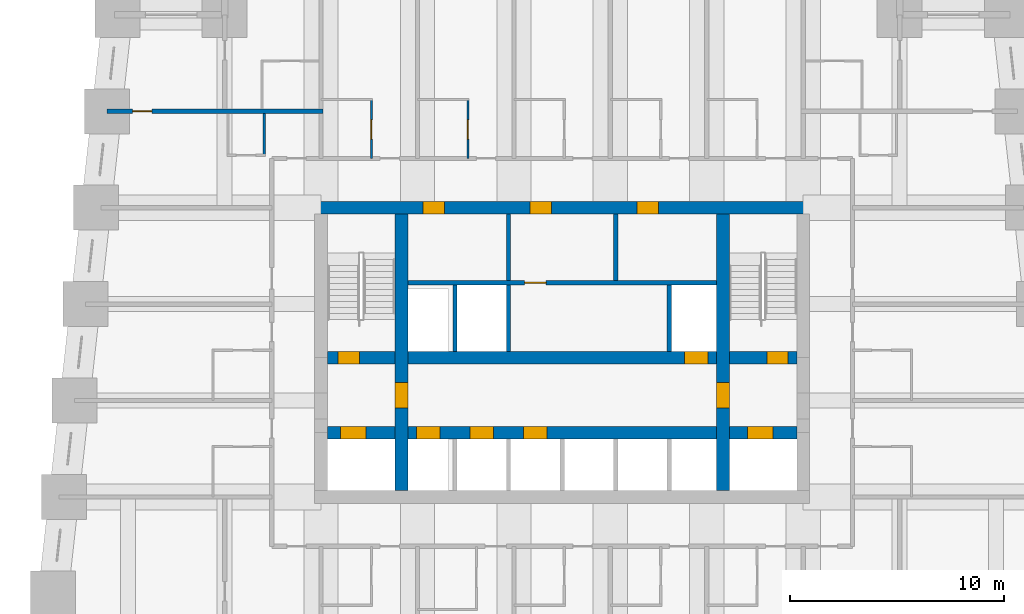
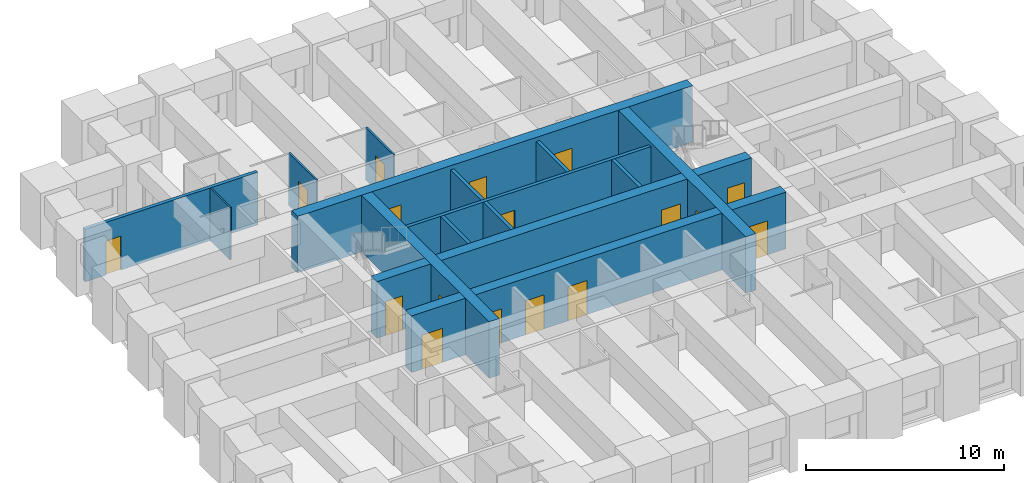
# One storey, part 4 of 8: 17 doors, 15 walls, 17 openings.
"""IFC4 building model written with IfcOpenShell, lengths in metres."""

from ifc_helpers import new_model, si_unit, direction, frame, frame_2d, origin, place, context, subcontext, project, spatial, rectangle, extrude, material, layer, layer_set, type_object, element, fill, save


model = new_model("IFC4")

# Units and contexts
model_context = context("Model", 3, precision=1e-05, world=origin(), true_north=direction((0.0, 1.0)))
body_context = subcontext(model_context, "Body", "Model", "MODEL_VIEW")
ifc_project = project(units=[si_unit("LENGTHUNIT", "METRE"), si_unit("AREAUNIT", "SQUARE_METRE"), si_unit("VOLUMEUNIT", "CUBIC_METRE"), si_unit("PLANEANGLEUNIT", "RADIAN"), si_unit("MASSUNIT", "GRAM", prefix="KILO")], contexts=[model_context])

# Site, building, storey
site_placement = place(None, origin())
site = spatial("IfcSite", under=ifc_project, at=site_placement, CompositionType="ELEMENT")
building_placement = place(site_placement, origin())
building = spatial("IfcBuilding", under=site, at=building_placement, Name="Kilele Tower Hotel", CompositionType="ELEMENT")
storey_placement = place(building_placement, frame((0.0, 0.0, 36.699951171875)))
storey = spatial("IfcBuildingStorey", under=building, at=storey_placement, Name="L07", CompositionType="ELEMENT", Elevation=36.699951171875)

# Wall, opening, door
ifc_material_1 = material(Name="Moisture-resistant board")
ifc_layer_1 = layer(ifc_material_1, 0.10009765625)
ifc_layer_set_1 = layer_set([ifc_layer_1], Name="Moisture-resistant board")
wall_type_1 = type_object("IfcWallType", Name="Bathroom partition 100", PredefinedType="PLUMBINGWALL", material=ifc_layer_set_1)
wall_1_placement = place(storey_placement, frame((15.85009765625, 29.300048828125, 0.0), z_axis=(0.0, 0.0, 1.0), x_axis=(0.0, 1.0, 0.0)))
wall_1 = element("IfcWall", 1, at=wall_1_placement, inside=storey, type_object=wall_type_1, Name="Bathroom partition 100 L07", PredefinedType="PLUMBINGWALL", context=body_context, shape_type="SweptSolid", body=[
    extrude(rectangle(XDim=2.800048828125, YDim=0.10009765625, at=frame_2d((1.39990234375, 0.0))), origin(), (0.0, 0.0, 1.0), 3.25),
])
opening_1_placement = place(wall_1_placement, frame((1.7998046875, 0.0, 0.0), z_axis=(0.0, 0.0, 1.0), x_axis=(-1.0, 0.0, 0.0)))
opening_1 = element("IfcOpeningElement", 2, at=opening_1_placement, cuts=wall_1, Name="Opening D2A", PredefinedType="OPENING", context=body_context, shape_type="SweptSolid", body=[
    extrude(rectangle(XDim=0.89990234375, YDim=2.10009765625, at=frame_2d((0.449951171875, 1.050048828125))), frame((0.0, 0.06005859375, 0.0), z_axis=(0.0, -1.0, 0.0), x_axis=(1.0, 0.0, 0.0)), (0.0, 0.0, 1.0), 0.1201171875),
])
ifc_material_2 = material(Name="Timber door leaf in hardwood frame", Category="wood")
door_type_1 = type_object("IfcDoorType", Name="Bathroom door 900", OperationType="SINGLE_SWING_LEFT", PredefinedType="DOOR", material=ifc_material_2)
door_1_placement = place(opening_1_placement, origin())
door_1 = element("IfcDoor", 3, at=door_1_placement, inside=storey, type_object=door_type_1, Name="Bathroom door 0709B", OperationType="SINGLE_SWING_RIGHT", OverallHeight=2.10009765625, OverallWidth=0.89990234375, PredefinedType="DOOR", context=body_context, shape_type="SweptSolid", body=[
    extrude(rectangle(XDim=0.89990234375, YDim=2.10009765625, at=frame_2d((0.449951171875, 1.050048828125))), frame((0.0, 0.02490234375, 0.0), z_axis=(0.0, -1.0, 0.0), x_axis=(1.0, 0.0, 0.0)), (0.0, 0.0, 1.0), 0.050048828125),
])
fill(opening_1, door_1)

wall_2_placement = place(storey_placement, frame((20.35009765625, 29.300048828125, 0.0), z_axis=(0.0, 0.0, 1.0), x_axis=(0.0, 1.0, 0.0)))
wall_2 = element("IfcWall", 4, at=wall_2_placement, inside=storey, type_object=wall_type_1, Name="Bathroom partition 100 L07", PredefinedType="PLUMBINGWALL", context=body_context, shape_type="SweptSolid", body=[
    extrude(rectangle(XDim=2.800048828125, YDim=0.10009765625, at=frame_2d((1.39990234375, 0.0))), origin(), (0.0, 0.0, 1.0), 3.25),
])
opening_2_placement = place(wall_2_placement, frame((1.7998046875, 0.0, 0.0), z_axis=(0.0, 0.0, 1.0), x_axis=(-1.0, 0.0, 0.0)))
opening_2 = element("IfcOpeningElement", 5, at=opening_2_placement, cuts=wall_2, Name="Opening D2A", PredefinedType="OPENING", context=body_context, shape_type="SweptSolid", body=[
    extrude(rectangle(XDim=0.89990234375, YDim=2.10009765625, at=frame_2d((0.449951171875, 1.050048828125))), frame((0.0, 0.06005859375, 0.0), z_axis=(0.0, -1.0, 0.0), x_axis=(1.0, 0.0, 0.0)), (0.0, 0.0, 1.0), 0.1201171875),
])
door_2_placement = place(opening_2_placement, origin())
door_2 = element("IfcDoor", 6, at=door_2_placement, inside=storey, type_object=door_type_1, Name="Bathroom door 0710B", OperationType="SINGLE_SWING_RIGHT", OverallHeight=2.10009765625, OverallWidth=0.89990234375, PredefinedType="DOOR", context=body_context, shape_type="SweptSolid", body=[
    extrude(rectangle(XDim=0.89990234375, YDim=2.10009765625, at=frame_2d((0.449951171875, 1.050048828125))), frame((0.0, 0.02490234375, 0.0), z_axis=(0.0, -1.0, 0.0), x_axis=(1.0, 0.0, 0.0)), (0.0, 0.0, 1.0), 0.050048828125),
])
fill(opening_2, door_2)

# Wall
wall_3_placement = place(storey_placement, frame((10.85009765625, 31.39990234375, 0.0), z_axis=(0.0, 0.0, 1.0), x_axis=(0.0, -1.0, 0.0)))
element("IfcWall", 7, at=wall_3_placement, inside=storey, type_object=wall_type_1, Name="Bathroom partition 100 L07", PredefinedType="PLUMBINGWALL", context=body_context, shape_type="SweptSolid", body=[
    extrude(rectangle(XDim=2.0, YDim=0.10009765625, at=frame_2d((1.0, 0.0))), origin(), (0.0, 0.0, 1.0), 3.25),
])

# Wall, openings, doors
ifc_material_3 = material(Name="Concrete C60/75", Category="concrete")
ifc_layer_2 = layer(ifc_material_3, 0.60009765625)
ifc_layer_set_2 = layer_set([ifc_layer_2], Name="Concrete C60/75")
wall_type_2 = type_object("IfcWallType", Name="Core wall 600 C60/75", PredefinedType="SHEAR", material=ifc_layer_set_2)
wall_4_placement = place(storey_placement, frame((36.300048828125, 27.0, 0.0), z_axis=(0.0, 0.0, 1.0), x_axis=(-1.0, 0.0, 0.0)))
wall_4 = element("IfcWall", 8, at=wall_4_placement, inside=storey, type_object=wall_type_2, Name="Core wall N L07", PredefinedType="SHEAR", context=body_context, shape_type="SweptSolid", body=[
    extrude(rectangle(XDim=23.10009765625, YDim=0.60009765625, at=frame_2d((11.550048828125, 0.0))), origin(), (0.0, 0.0, 1.0), 3.5),
])
opening_3_placement = place(wall_4_placement, frame((17.050048828125, 0.0, 0.0)))
opening_3 = element("IfcOpeningElement", 9, at=opening_3_placement, cuts=wall_4, Name="Opening D6", PredefinedType="OPENING", context=body_context, shape_type="SweptSolid", body=[
    extrude(rectangle(XDim=1.0, YDim=2.10009765625, at=frame_2d((0.5, 1.050048828125))), frame((0.0, 0.31005859375, 0.0), z_axis=(0.0, -1.0, 0.0), x_axis=(1.0, 0.0, 0.0)), (0.0, 0.0, 1.0), 0.6201171875),
])
opening_4_placement = place(wall_4_placement, frame((12.050048828125, 0.0, 0.0)))
opening_4 = element("IfcOpeningElement", 10, at=opening_4_placement, cuts=wall_4, Name="Opening D6", PredefinedType="OPENING", context=body_context, shape_type="SweptSolid", body=[
    extrude(rectangle(XDim=1.0, YDim=2.10009765625, at=frame_2d((0.5, 1.050048828125))), frame((0.0, 0.31005859375, 0.0), z_axis=(0.0, -1.0, 0.0), x_axis=(1.0, 0.0, 0.0)), (0.0, 0.0, 1.0), 0.6201171875),
])
opening_5_placement = place(wall_4_placement, frame((7.050048828125, 0.0, 0.0)))
opening_5 = element("IfcOpeningElement", 11, at=opening_5_placement, cuts=wall_4, Name="Opening D6", PredefinedType="OPENING", context=body_context, shape_type="SweptSolid", body=[
    extrude(rectangle(XDim=1.0, YDim=2.10009765625, at=frame_2d((0.5, 1.050048828125))), frame((0.0, 0.31005859375, 0.0), z_axis=(0.0, -1.0, 0.0), x_axis=(1.0, 0.0, 0.0)), (0.0, 0.0, 1.0), 0.6201171875),
])
ifc_material_4 = material(Name="Timber door leaf in hardwood frame", Category="wood")
door_type_2 = type_object("IfcDoorType", Name="Riser door 1000", OperationType="SINGLE_SWING_LEFT", PredefinedType="DOOR", material=ifc_material_4)
door_3_placement = place(opening_3_placement, origin())
door_3 = element("IfcDoor", 12, at=door_3_placement, inside=storey, type_object=door_type_2, Name="Service riser door L07", OperationType="SINGLE_SWING_RIGHT", OverallHeight=2.10009765625, OverallWidth=1.0, PredefinedType="DOOR", context=body_context, shape_type="SweptSolid", body=[
    extrude(rectangle(XDim=1.0, YDim=2.10009765625, at=frame_2d((0.5, 1.050048828125))), frame((0.0, 0.2998046875, 0.0), z_axis=(0.0, -1.0, 0.0), x_axis=(1.0, 0.0, 0.0)), (0.0, 0.0, 1.0), 0.599609375),
])
fill(opening_3, door_3)
door_4_placement = place(opening_4_placement, origin())
door_4 = element("IfcDoor", 13, at=door_4_placement, inside=storey, type_object=door_type_2, Name="Linen store door L07", OperationType="SINGLE_SWING_RIGHT", OverallHeight=2.10009765625, OverallWidth=1.0, PredefinedType="DOOR", context=body_context, shape_type="SweptSolid", body=[
    extrude(rectangle(XDim=1.0, YDim=2.10009765625, at=frame_2d((0.5, 1.050048828125))), frame((0.0, 0.2998046875, 0.0), z_axis=(0.0, -1.0, 0.0), x_axis=(1.0, 0.0, 0.0)), (0.0, 0.0, 1.0), 0.599609375),
])
fill(opening_4, door_4)
door_5_placement = place(opening_5_placement, origin())
door_5 = element("IfcDoor", 14, at=door_5_placement, inside=storey, type_object=door_type_2, Name="Electrical riser door L07", OperationType="SINGLE_SWING_RIGHT", OverallHeight=2.10009765625, OverallWidth=1.0, PredefinedType="DOOR", context=body_context, shape_type="SweptSolid", body=[
    extrude(rectangle(XDim=1.0, YDim=2.10009765625, at=frame_2d((0.5, 1.050048828125))), frame((0.0, 0.2998046875, 0.0), z_axis=(0.0, -1.0, 0.0), x_axis=(1.0, 0.0, 0.0)), (0.0, 0.0, 1.0), 0.599609375),
])
fill(opening_5, door_5)

# Wall, opening, door
wall_5_placement = place(storey_placement, frame((17.25, 13.800048828125, 0.0), z_axis=(0.0, 0.0, 1.0), x_axis=(0.0, 1.0, 0.0)))
wall_5 = element("IfcWall", 15, at=wall_5_placement, inside=storey, type_object=wall_type_2, Name="Core wall IW L07", PredefinedType="SHEAR", context=body_context, shape_type="SweptSolid", body=[
    extrude(rectangle(XDim=12.89990234375, YDim=0.60009765625, at=frame_2d((6.449951171875, 0.0))), origin(), (0.0, 0.0, 1.0), 3.5),
])
opening_6_placement = place(wall_5_placement, frame((3.85009765625, 0.0, 0.0)))
opening_6 = element("IfcOpeningElement", 16, at=opening_6_placement, cuts=wall_5, Name="Opening D4", PredefinedType="OPENING", context=body_context, shape_type="SweptSolid", body=[
    extrude(rectangle(XDim=1.199951171875, YDim=2.10009765625, at=frame_2d((0.60009765625, 1.050048828125))), frame((0.0, 0.31005859375, 0.0), z_axis=(0.0, -1.0, 0.0), x_axis=(1.0, 0.0, 0.0)), (0.0, 0.0, 1.0), 0.6201171875),
])
ifc_material_5 = material(Name="Timber door leaf in hardwood frame", Category="wood")
door_type_3 = type_object("IfcDoorType", Name="Firefighting lobby door 1200", OperationType="SINGLE_SWING_LEFT", PredefinedType="DOOR", material=ifc_material_5)
door_6_placement = place(opening_6_placement, origin())
door_6 = element("IfcDoor", 17, at=door_6_placement, inside=storey, type_object=door_type_3, Name="Lobby door L07", OperationType="SINGLE_SWING_LEFT", OverallHeight=2.10009765625, OverallWidth=1.199951171875, PredefinedType="DOOR", context=body_context, shape_type="SweptSolid", body=[
    extrude(rectangle(XDim=1.199951171875, YDim=2.10009765625, at=frame_2d((0.60009765625, 1.050048828125))), frame((0.0, 0.2998046875, 0.0), z_axis=(0.0, -1.0, 0.0), x_axis=(1.0, 0.0, 0.0)), (0.0, 0.0, 1.0), 0.599609375),
])
fill(opening_6, door_6)

wall_6_placement = place(storey_placement, frame((32.25, 13.800048828125, 0.0), z_axis=(0.0, 0.0, 1.0), x_axis=(0.0, 1.0, 0.0)))
wall_6 = element("IfcWall", 18, at=wall_6_placement, inside=storey, type_object=wall_type_2, Name="Core wall IE L07", PredefinedType="SHEAR", context=body_context, shape_type="SweptSolid", body=[
    extrude(rectangle(XDim=12.89990234375, YDim=0.60009765625, at=frame_2d((6.449951171875, 0.0))), origin(), (0.0, 0.0, 1.0), 3.5),
])
opening_7_placement = place(wall_6_placement, frame((5.050048828125, 0.0, 0.0), z_axis=(0.0, 0.0, 1.0), x_axis=(-1.0, 0.0, 0.0)))
opening_7 = element("IfcOpeningElement", 19, at=opening_7_placement, cuts=wall_6, Name="Opening D4", PredefinedType="OPENING", context=body_context, shape_type="SweptSolid", body=[
    extrude(rectangle(XDim=1.199951171875, YDim=2.10009765625, at=frame_2d((0.60009765625, 1.050048828125))), frame((0.0, 0.31005859375, 0.0), z_axis=(0.0, -1.0, 0.0), x_axis=(1.0, 0.0, 0.0)), (0.0, 0.0, 1.0), 0.6201171875),
])
door_7_placement = place(opening_7_placement, origin())
door_7 = element("IfcDoor", 20, at=door_7_placement, inside=storey, type_object=door_type_3, Name="Lobby door L07", OperationType="SINGLE_SWING_RIGHT", OverallHeight=2.10009765625, OverallWidth=1.199951171875, PredefinedType="DOOR", context=body_context, shape_type="SweptSolid", body=[
    extrude(rectangle(XDim=1.199951171875, YDim=2.10009765625, at=frame_2d((0.60009765625, 1.050048828125))), frame((0.0, 0.2998046875, 0.0), z_axis=(0.0, -1.0, 0.0), x_axis=(1.0, 0.0, 0.0)), (0.0, 0.0, 1.0), 0.599609375),
])
fill(opening_7, door_7)

# Wall, openings, doors
wall_7_placement = place(storey_placement, frame((13.800048828125, 16.5, 0.0), z_axis=(0.0, 0.0, 1.0), x_axis=(1.0, 0.0, 0.0)))
wall_7 = element("IfcWall", 21, at=wall_7_placement, inside=storey, type_object=wall_type_2, Name="Core wall LS L07", PredefinedType="SHEAR", context=body_context, shape_type="SweptSolid", body=[
    extrude(rectangle(XDim=21.89990234375, YDim=0.60009765625, at=frame_2d((10.949951171875, 0.0))), origin(), (0.0, 0.0, 1.0), 3.5),
])
opening_8_placement = place(wall_7_placement, frame((4.14990234375, 0.0, 0.0)))
opening_8 = element("IfcOpeningElement", 22, at=opening_8_placement, cuts=wall_7, Name="Opening LD1", PredefinedType="OPENING", context=body_context, shape_type="SweptSolid", body=[
    extrude(rectangle(XDim=1.10009765625, YDim=2.10009765625, at=frame_2d((0.550048828125, 1.050048828125))), frame((0.0, 0.31005859375, 0.0), z_axis=(0.0, -1.0, 0.0), x_axis=(1.0, 0.0, 0.0)), (0.0, 0.0, 1.0), 0.6201171875),
])
opening_9_placement = place(wall_7_placement, frame((6.64990234375, 0.0, 0.0)))
opening_9 = element("IfcOpeningElement", 23, at=opening_9_placement, cuts=wall_7, Name="Opening LD1", PredefinedType="OPENING", context=body_context, shape_type="SweptSolid", body=[
    extrude(rectangle(XDim=1.10009765625, YDim=2.10009765625, at=frame_2d((0.550048828125, 1.050048828125))), frame((0.0, 0.31005859375, 0.0), z_axis=(0.0, -1.0, 0.0), x_axis=(1.0, 0.0, 0.0)), (0.0, 0.0, 1.0), 0.6201171875),
])
opening_10_placement = place(wall_7_placement, frame((9.14990234375, 0.0, 0.0)))
opening_10 = element("IfcOpeningElement", 24, at=opening_10_placement, cuts=wall_7, Name="Opening LD1", PredefinedType="OPENING", context=body_context, shape_type="SweptSolid", body=[
    extrude(rectangle(XDim=1.10009765625, YDim=2.10009765625, at=frame_2d((0.550048828125, 1.050048828125))), frame((0.0, 0.31005859375, 0.0), z_axis=(0.0, -1.0, 0.0), x_axis=(1.0, 0.0, 0.0)), (0.0, 0.0, 1.0), 0.6201171875),
])
opening_11_placement = place(wall_7_placement, frame((0.60009765625, 0.0, 0.0)))
opening_11 = element("IfcOpeningElement", 25, at=opening_11_placement, cuts=wall_7, Name="Opening LD2", PredefinedType="OPENING", context=body_context, shape_type="SweptSolid", body=[
    extrude(rectangle(XDim=1.199951171875, YDim=2.10009765625, at=frame_2d((0.60009765625, 1.050048828125))), frame((0.0, 0.31005859375, 0.0), z_axis=(0.0, -1.0, 0.0), x_axis=(1.0, 0.0, 0.0)), (0.0, 0.0, 1.0), 0.6201171875),
])
opening_12_placement = place(wall_7_placement, frame((19.60009765625, 0.0, 0.0)))
opening_12 = element("IfcOpeningElement", 26, at=opening_12_placement, cuts=wall_7, Name="Opening LD2", PredefinedType="OPENING", context=body_context, shape_type="SweptSolid", body=[
    extrude(rectangle(XDim=1.199951171875, YDim=2.10009765625, at=frame_2d((0.60009765625, 1.050048828125))), frame((0.0, 0.31005859375, 0.0), z_axis=(0.0, -1.0, 0.0), x_axis=(1.0, 0.0, 0.0)), (0.0, 0.0, 1.0), 0.6201171875),
])
ifc_material_6 = material(Name="Steel lift landing door", Category="steel")
door_type_4 = type_object("IfcDoorType", Name="Firefighting lift landing door 1200", OperationType="SLIDING_TO_LEFT", PredefinedType="DOOR", material=ifc_material_6)
door_8_placement = place(opening_11_placement, origin())
door_8 = element("IfcDoor", 27, at=door_8_placement, inside=storey, type_object=door_type_4, Name="Landing door FFW L07", OperationType="SLIDING_TO_LEFT", OverallHeight=2.10009765625, OverallWidth=1.199951171875, PredefinedType="DOOR", context=body_context, shape_type="SweptSolid", body=[
    extrude(rectangle(XDim=1.199951171875, YDim=2.10009765625, at=frame_2d((0.60009765625, 1.050048828125))), frame((0.0, 0.2998046875, 0.0), z_axis=(0.0, -1.0, 0.0), x_axis=(1.0, 0.0, 0.0)), (0.0, 0.0, 1.0), 0.599609375),
])
fill(opening_11, door_8)
door_9_placement = place(opening_12_placement, origin())
door_9 = element("IfcDoor", 28, at=door_9_placement, inside=storey, type_object=door_type_4, Name="Landing door FFE L07", OperationType="SLIDING_TO_LEFT", OverallHeight=2.10009765625, OverallWidth=1.199951171875, PredefinedType="DOOR", context=body_context, shape_type="SweptSolid", body=[
    extrude(rectangle(XDim=1.199951171875, YDim=2.10009765625, at=frame_2d((0.60009765625, 1.050048828125))), frame((0.0, 0.2998046875, 0.0), z_axis=(0.0, -1.0, 0.0), x_axis=(1.0, 0.0, 0.0)), (0.0, 0.0, 1.0), 0.599609375),
])
fill(opening_12, door_9)
ifc_material_7 = material(Name="Steel lift landing door", Category="steel")
door_type_5 = type_object("IfcDoorType", Name="Lift landing door 1100", OperationType="SLIDING_TO_LEFT", PredefinedType="DOOR", material=ifc_material_7)
door_10_placement = place(opening_8_placement, origin())
door_10 = element("IfcDoor", 29, at=door_10_placement, inside=storey, type_object=door_type_5, Name="Landing door L1 L07", OperationType="SLIDING_TO_LEFT", OverallHeight=2.10009765625, OverallWidth=1.10009765625, PredefinedType="DOOR", context=body_context, shape_type="SweptSolid", body=[
    extrude(rectangle(XDim=1.10009765625, YDim=2.10009765625, at=frame_2d((0.550048828125, 1.050048828125))), frame((0.0, 0.2998046875, 0.0), z_axis=(0.0, -1.0, 0.0), x_axis=(1.0, 0.0, 0.0)), (0.0, 0.0, 1.0), 0.599609375),
])
fill(opening_8, door_10)
door_11_placement = place(opening_9_placement, origin())
door_11 = element("IfcDoor", 30, at=door_11_placement, inside=storey, type_object=door_type_5, Name="Landing door L2 L07", OperationType="SLIDING_TO_LEFT", OverallHeight=2.10009765625, OverallWidth=1.10009765625, PredefinedType="DOOR", context=body_context, shape_type="SweptSolid", body=[
    extrude(rectangle(XDim=1.10009765625, YDim=2.10009765625, at=frame_2d((0.550048828125, 1.050048828125))), frame((0.0, 0.2998046875, 0.0), z_axis=(0.0, -1.0, 0.0), x_axis=(1.0, 0.0, 0.0)), (0.0, 0.0, 1.0), 0.599609375),
])
fill(opening_9, door_11)
door_12_placement = place(opening_10_placement, origin())
door_12 = element("IfcDoor", 31, at=door_12_placement, inside=storey, type_object=door_type_5, Name="Landing door L3 L07", OperationType="SLIDING_TO_LEFT", OverallHeight=2.10009765625, OverallWidth=1.10009765625, PredefinedType="DOOR", context=body_context, shape_type="SweptSolid", body=[
    extrude(rectangle(XDim=1.10009765625, YDim=2.10009765625, at=frame_2d((0.550048828125, 1.050048828125))), frame((0.0, 0.2998046875, 0.0), z_axis=(0.0, -1.0, 0.0), x_axis=(1.0, 0.0, 0.0)), (0.0, 0.0, 1.0), 0.599609375),
])
fill(opening_10, door_12)

wall_8_placement = place(storey_placement, frame((13.800048828125, 20.0, 0.0), z_axis=(0.0, 0.0, 1.0), x_axis=(1.0, 0.0, 0.0)))
wall_8 = element("IfcWall", 32, at=wall_8_placement, inside=storey, type_object=wall_type_2, Name="Core wall LN L07", PredefinedType="SHEAR", context=body_context, shape_type="SweptSolid", body=[
    extrude(rectangle(XDim=21.89990234375, YDim=0.60009765625, at=frame_2d((10.949951171875, 0.0))), origin(), (0.0, 0.0, 1.0), 3.5),
])
opening_13_placement = place(wall_8_placement, frame((0.5, 0.0, 0.0)))
opening_13 = element("IfcOpeningElement", 33, at=opening_13_placement, cuts=wall_8, Name="Opening D5", PredefinedType="OPENING", context=body_context, shape_type="SweptSolid", body=[
    extrude(rectangle(XDim=1.0, YDim=2.10009765625, at=frame_2d((0.5, 1.050048828125))), frame((0.0, 0.31005859375, 0.0), z_axis=(0.0, -1.0, 0.0), x_axis=(1.0, 0.0, 0.0)), (0.0, 0.0, 1.0), 0.6201171875),
])
opening_14_placement = place(wall_8_placement, frame((20.5, 0.0, 0.0)))
opening_14 = element("IfcOpeningElement", 34, at=opening_14_placement, cuts=wall_8, Name="Opening D5", PredefinedType="OPENING", context=body_context, shape_type="SweptSolid", body=[
    extrude(rectangle(XDim=1.0, YDim=2.10009765625, at=frame_2d((0.5, 1.050048828125))), frame((0.0, 0.31005859375, 0.0), z_axis=(0.0, -1.0, 0.0), x_axis=(1.0, 0.0, 0.0)), (0.0, 0.0, 1.0), 0.6201171875),
])
opening_15_placement = place(wall_8_placement, frame((16.64990234375, 0.0, 0.0)))
opening_15 = element("IfcOpeningElement", 35, at=opening_15_placement, cuts=wall_8, Name="Opening LD1", PredefinedType="OPENING", context=body_context, shape_type="SweptSolid", body=[
    extrude(rectangle(XDim=1.10009765625, YDim=2.10009765625, at=frame_2d((0.550048828125, 1.050048828125))), frame((0.0, 0.31005859375, 0.0), z_axis=(0.0, -1.0, 0.0), x_axis=(1.0, 0.0, 0.0)), (0.0, 0.0, 1.0), 0.6201171875),
])
door_13_placement = place(opening_15_placement, origin())
door_13 = element("IfcDoor", 36, at=door_13_placement, inside=storey, type_object=door_type_5, Name="Landing door G1 L07", OperationType="SLIDING_TO_LEFT", OverallHeight=2.10009765625, OverallWidth=1.10009765625, PredefinedType="DOOR", context=body_context, shape_type="SweptSolid", body=[
    extrude(rectangle(XDim=1.10009765625, YDim=2.10009765625, at=frame_2d((0.550048828125, 1.050048828125))), frame((0.0, 0.2998046875, 0.0), z_axis=(0.0, -1.0, 0.0), x_axis=(1.0, 0.0, 0.0)), (0.0, 0.0, 1.0), 0.599609375),
])
fill(opening_15, door_13)
ifc_material_8 = material(Name="Timber door leaf in hardwood frame", Category="wood")
door_type_6 = type_object("IfcDoorType", Name="Stair door 1000", OperationType="SINGLE_SWING_LEFT", PredefinedType="DOOR", material=ifc_material_8)
door_14_placement = place(opening_13_placement, origin())
door_14 = element("IfcDoor", 37, at=door_14_placement, inside=storey, type_object=door_type_6, Name="Stair 1 door L07", OperationType="SINGLE_SWING_LEFT", OverallHeight=2.10009765625, OverallWidth=1.0, PredefinedType="DOOR", context=body_context, shape_type="SweptSolid", body=[
    extrude(rectangle(XDim=1.0, YDim=2.10009765625, at=frame_2d((0.5, 1.050048828125))), frame((0.0, 0.2998046875, 0.0), z_axis=(0.0, -1.0, 0.0), x_axis=(1.0, 0.0, 0.0)), (0.0, 0.0, 1.0), 0.599609375),
])
fill(opening_13, door_14)
door_15_placement = place(opening_14_placement, origin())
door_15 = element("IfcDoor", 38, at=door_15_placement, inside=storey, type_object=door_type_6, Name="Stair 2 door L07", OperationType="SINGLE_SWING_RIGHT", OverallHeight=2.10009765625, OverallWidth=1.0, PredefinedType="DOOR", context=body_context, shape_type="SweptSolid", body=[
    extrude(rectangle(XDim=1.0, YDim=2.10009765625, at=frame_2d((0.5, 1.050048828125))), frame((0.0, 0.2998046875, 0.0), z_axis=(0.0, -1.0, 0.0), x_axis=(1.0, 0.0, 0.0)), (0.0, 0.0, 1.0), 0.599609375),
])
fill(opening_14, door_15)

# Wall, opening, door
ifc_material_9 = material(Name="Blockwork, plastered both sides", Category="masonry")
ifc_layer_3 = layer(ifc_material_9, 0.199951171875)
ifc_layer_set_3 = layer_set([ifc_layer_3], Name="Blockwork, plastered both sides")
wall_type_3 = type_object("IfcWallType", Name="Party wall 200", PredefinedType="PARTITIONING", material=ifc_layer_set_3)
wall_9_placement = place(storey_placement, frame((13.60009765625, 31.5, 0.0), z_axis=(0.0, 0.0, 1.0), x_axis=(-1.0, 0.0, 0.0)))
wall_9 = element("IfcWall", 39, at=wall_9_placement, inside=storey, type_object=wall_type_3, Name="Party wall 200 L07", PredefinedType="PARTITIONING", context=body_context, shape_type="SweptSolid", body=[
    extrude(rectangle(XDim=10.09912109375, YDim=0.199951171875, at=frame_2d((5.049560546875, 0.0))), origin(), (0.0, 0.0, 1.0), 3.25),
])
opening_16_placement = place(wall_9_placement, frame((8.89892578125, 0.0, 0.0), z_axis=(0.0, 0.0, 1.0), x_axis=(-1.0, 0.0, 0.0)))
opening_16 = element("IfcOpeningElement", 40, at=opening_16_placement, cuts=wall_9, Name="Opening D3", PredefinedType="OPENING", context=body_context, shape_type="SweptSolid", body=[
    extrude(rectangle(XDim=0.89990234375, YDim=2.10009765625, at=frame_2d((0.449951171875, 1.050048828125))), frame((0.0, 0.10986328125, 0.0), z_axis=(0.0, -1.0, 0.0), x_axis=(1.0, 0.0, 0.0)), (0.0, 0.0, 1.0), 0.219970703125),
])
ifc_material_10 = material(Name="Timber door leaf in hardwood frame", Category="wood")
door_type_7 = type_object("IfcDoorType", Name="Suite internal door 900", OperationType="SINGLE_SWING_LEFT", PredefinedType="DOOR", material=ifc_material_10)
door_16_placement = place(opening_16_placement, origin())
door_16 = element("IfcDoor", 41, at=door_16_placement, inside=storey, type_object=door_type_7, Name="Suite door 0727", OperationType="SINGLE_SWING_LEFT", OverallHeight=2.10009765625, OverallWidth=0.89990234375, PredefinedType="DOOR", context=body_context, shape_type="SweptSolid", body=[
    extrude(rectangle(XDim=0.89990234375, YDim=2.10009765625, at=frame_2d((0.449951171875, 1.050048828125))), frame((0.0, 0.02490234375, 0.0), z_axis=(0.0, -1.0, 0.0), x_axis=(1.0, 0.0, 0.0)), (0.0, 0.0, 1.0), 0.050048828125),
])
fill(opening_16, door_16)

# Walls
ifc_material_11 = material(Name="Blockwork, fire-rated", Category="masonry")
ifc_layer_4 = layer(ifc_material_11, 0.199951171875)
ifc_layer_set_4 = layer_set([ifc_layer_4], Name="Blockwork, fire-rated")
wall_type_4 = type_object("IfcWallType", Name="Shaft wall 200", PredefinedType="PARTITIONING", material=ifc_layer_set_4)
for number, where, z_axis, x_axis, name in (
    (42, (19.75, 20.300048828125, 0.0), (0.0, 0.0, 1.0), (0.0, 1.0, 0.0), "Shaft wall 200 L07"),
    (43, (22.25, 20.300048828125, 0.0), (0.0, 0.0, 1.0), (0.0, 1.0, 0.0), "Shaft wall 200 L07"),
    (44, (29.75, 20.300048828125, 0.0), (0.0, 0.0, 1.0), (0.0, 1.0, 0.0), "Shaft wall 200 L07"),
):
    element("IfcWall", number, at=place(storey_placement, frame(where, z_axis=z_axis, x_axis=x_axis)), inside=storey, type_object=wall_type_4, Name=name, PredefinedType="PARTITIONING", context=body_context, shape_type="SweptSolid", body=[
        extrude(rectangle(XDim=3.099853515625, YDim=0.199951171875, at=frame_2d((1.5498046875, 0.0))), origin(), (0.0, 0.0, 1.0), 3.25),
    ])

# Wall, opening, door
wall_10_placement = place(storey_placement, frame((17.550048828125, 23.5, 0.0), z_axis=(0.0, 0.0, 1.0), x_axis=(1.0, 0.0, 0.0)))
wall_10 = element("IfcWall", 45, at=wall_10_placement, inside=storey, type_object=wall_type_4, Name="Shaft wall 200 L07", PredefinedType="PARTITIONING", context=body_context, shape_type="SweptSolid", body=[
    extrude(rectangle(XDim=14.39990234375, YDim=0.199951171875, at=frame_2d((7.199951171875, 0.0))), origin(), (0.0, 0.0, 1.0), 3.25),
])
opening_17_placement = place(wall_10_placement, frame((5.449951171875, 0.0, 0.0)))
opening_17 = element("IfcOpeningElement", 46, at=opening_17_placement, cuts=wall_10, Name="Opening D11", PredefinedType="OPENING", context=body_context, shape_type="SweptSolid", body=[
    extrude(rectangle(XDim=1.0, YDim=2.10009765625, at=frame_2d((0.5, 1.050048828125))), frame((0.0, 0.10986328125, 0.0), z_axis=(0.0, -1.0, 0.0), x_axis=(1.0, 0.0, 0.0)), (0.0, 0.0, 1.0), 0.219970703125),
])
ifc_material_12 = material(Name="Timber door leaf in hardwood frame", Category="wood")
door_type_8 = type_object("IfcDoorType", Name="Core store door 1000", OperationType="SINGLE_SWING_LEFT", PredefinedType="DOOR", material=ifc_material_12)
door_17_placement = place(opening_17_placement, origin())
door_17 = element("IfcDoor", 47, at=door_17_placement, inside=storey, type_object=door_type_8, Name="Core room door H1", OperationType="SINGLE_SWING_LEFT", OverallHeight=2.10009765625, OverallWidth=1.0, PredefinedType="DOOR", context=body_context, shape_type="SweptSolid", body=[
    extrude(rectangle(XDim=1.0, YDim=2.10009765625, at=frame_2d((0.5, 1.050048828125))), frame((0.0, 0.02490234375, 0.0), z_axis=(0.0, -1.0, 0.0), x_axis=(1.0, 0.0, 0.0)), (0.0, 0.0, 1.0), 0.050048828125),
])
fill(opening_17, door_17)

# Walls
for number, where, z_axis, x_axis, name in (
    (48, (22.25, 23.60009765625, 0.0), (0.0, 0.0, 1.0), (0.0, 1.0, 0.0), "Shaft wall 200 L07"),
    (49, (27.25, 23.60009765625, 0.0), (0.0, 0.0, 1.0), (0.0, 1.0, 0.0), "Shaft wall 200 L07"),
):
    element("IfcWall", number, at=place(storey_placement, frame(where, z_axis=z_axis, x_axis=x_axis)), inside=storey, type_object=wall_type_4, Name=name, PredefinedType="PARTITIONING", context=body_context, shape_type="SweptSolid", body=[
        extrude(rectangle(XDim=3.099853515625, YDim=0.199951171875, at=frame_2d((1.5498046875, 0.0))), origin(), (0.0, 0.0, 1.0), 3.25),
    ])

save(model, "model.ifc")
